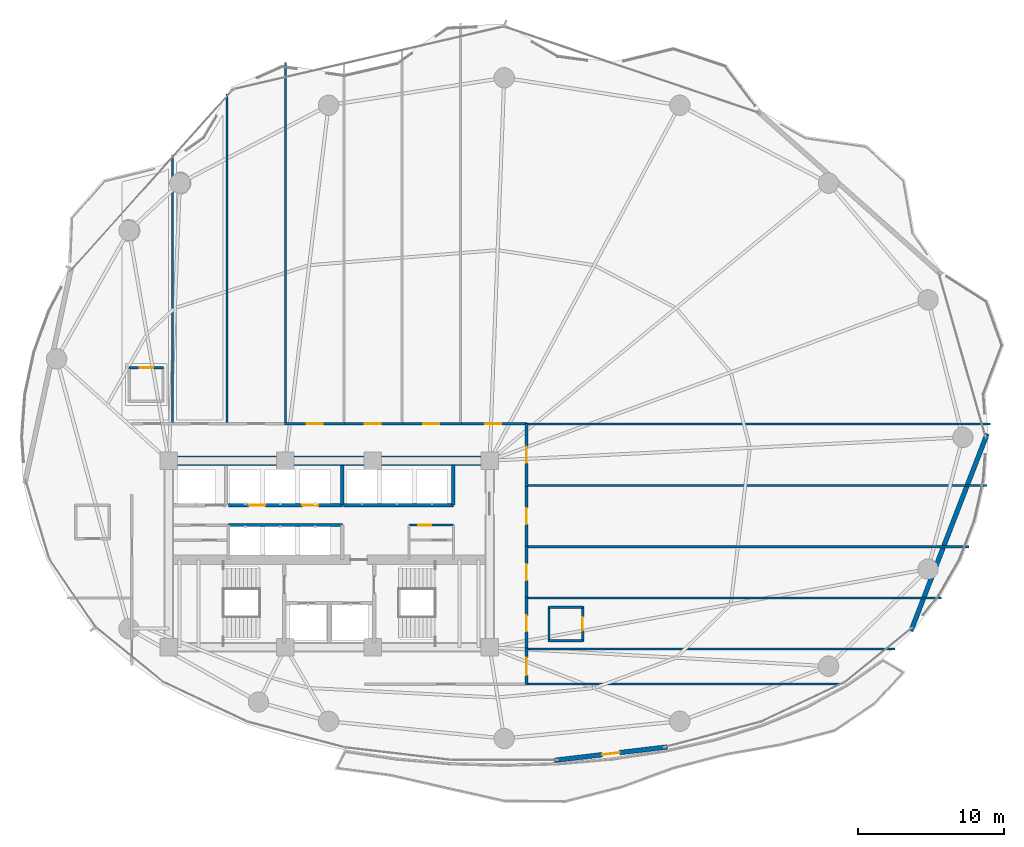
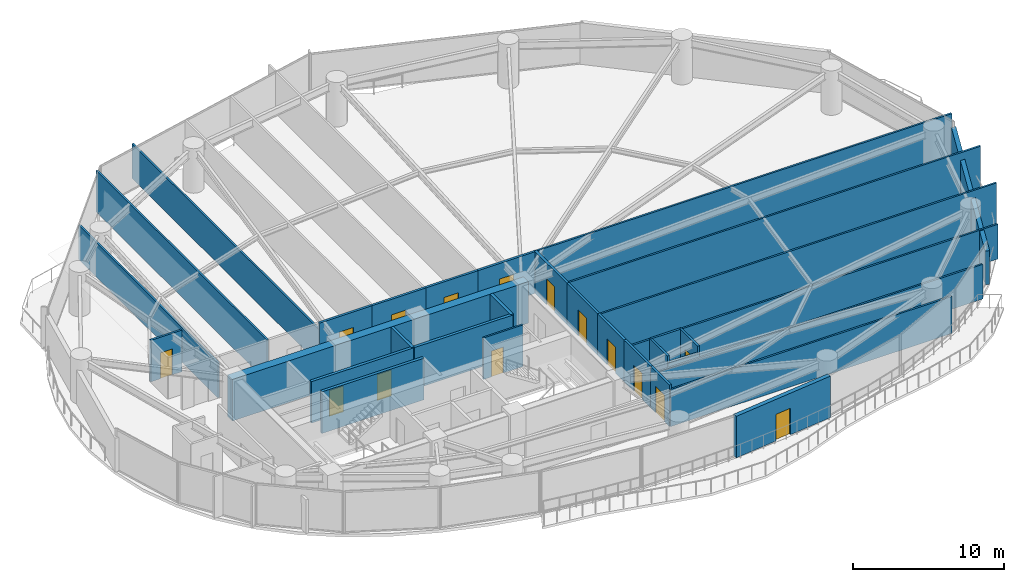
# One storey, part 27 of 32: 32 walls, 15 doors, 15 openings.
"""IFC4 building model written with IfcOpenShell, lengths in metres."""

import ifcopenshell
import ifcopenshell.guid

model = None  # the IFC model being written
_history = None  # IfcOwnerHistory: only IFC2X3 demands one
_inside = {}  # id of a spatial element -> (the spatial element, [elements in it])
_under = {}  # id of a project, library or spatial element -> (it, [spatial elements below it])
_declared = {}  # id of a project -> (the project, [libraries it declares])
_typed = {}  # id of a type object -> (the type object, [elements of that type])
_made_of = {}  # id of a material, layer set ... -> (it, [elements and type objects made of it])


def new_model(schema):
    """Start an empty IFC model of exactly this schema.

    Asked for "IFC4X3", IfcOpenShell would pick the latest addendum, in which some entities
    have other attributes; the version numbers below select the first issue.
    IFC2X3 requires an IfcOwnerHistory on every rooted entity: one is made here for all.
    """
    global model, _history
    if schema == "IFC4X3":
        model = ifcopenshell.file(schema_version=(4, 3, 0, 0))
    else:
        model = ifcopenshell.file(schema=schema)
    _inside.clear()
    _under.clear()
    _declared.clear()
    _typed.clear()
    _made_of.clear()
    _history = None
    if model.schema == "IFC2X3":
        org = make("IfcOrganization", Name="unknown")
        user = make(
            "IfcPersonAndOrganization",
            ThePerson=make("IfcPerson", FamilyName="unknown"),
            TheOrganization=org,
        )
        app = make(
            "IfcApplication",
            ApplicationDeveloper=org,
            Version="unknown",
            ApplicationFullName="unknown",
            ApplicationIdentifier="unknown",
        )
        _history = make(
            "IfcOwnerHistory",
            OwningUser=user,
            OwningApplication=app,
            ChangeAction="ADDED",
            CreationDate=0,
        )
    return model


def make(cls, **values):
    """One entity of the class cls with the attributes given. An attribute that is None is left unset."""
    return model.create_entity(
        cls, **{name: value for name, value in values.items() if value is not None}
    )


def rooted(cls, **values):
    """An entity with a GlobalId (a new one), such as an element, a storey or a relation."""
    return make(cls, GlobalId=ifcopenshell.guid.new(), OwnerHistory=_history, **values)


def si_unit(unit_type, name, prefix=None):
    """IfcSIUnit, for example si_unit("LENGTHUNIT", "METRE", prefix="MILLI")."""
    return make("IfcSIUnit", UnitType=unit_type, Prefix=prefix, Name=name)


def assignment(units):
    """IfcUnitAssignment: the units of a project."""
    return None if units is None else make("IfcUnitAssignment", Units=units)


def point(xyz):
    """IfcCartesianPoint."""
    return None if xyz is None else make("IfcCartesianPoint", Coordinates=xyz)


def direction(xyz):
    """IfcDirection."""
    return None if xyz is None else make("IfcDirection", DirectionRatios=xyz)


def frame(location, z_axis=None, x_axis=None):
    """IfcAxis2Placement3D, a coordinate frame: its origin and axes. An axis left out is left unset."""
    return make(
        "IfcAxis2Placement3D",
        Location=point(location),
        Axis=direction(z_axis),
        RefDirection=direction(x_axis),
    )


def frame_2d(location, x_axis=None):
    """IfcAxis2Placement2D, a coordinate frame in the plane: its origin and x axis."""
    return make(
        "IfcAxis2Placement2D", Location=point(location), RefDirection=direction(x_axis)
    )


def origin():
    """The frame at (0, 0, 0) with its axes left unset."""
    return frame((0.0, 0.0, 0.0))


def place(relative_to, where):
    """IfcLocalPlacement: puts the frame where relative to a parent placement (None: the world)."""
    return make(
        "IfcLocalPlacement", PlacementRelTo=relative_to, RelativePlacement=where
    )


def context(
    kind, dimensions, precision=None, world=None, true_north=None, identifier=None
):
    """IfcGeometricRepresentationContext, for example the 3D "Model" context."""
    return make(
        "IfcGeometricRepresentationContext",
        ContextIdentifier=identifier,
        ContextType=kind,
        CoordinateSpaceDimension=dimensions,
        Precision=precision,
        WorldCoordinateSystem=world,
        TrueNorth=true_north,
    )


def subcontext(parent, identifier, kind, view, scale=None):
    """IfcGeometricRepresentationSubContext, for example "Body" below "Model"."""
    return make(
        "IfcGeometricRepresentationSubContext",
        ContextIdentifier=identifier,
        ContextType=kind,
        ParentContext=parent,
        TargetScale=scale,
        TargetView=view,
    )


def project(units=None, contexts=None):
    """IfcProject with its units and contexts."""
    return rooted(
        "IfcProject",
        Name="project",
        RepresentationContexts=contexts,
        UnitsInContext=assignment(units),
    )


def spatial(cls, under=None, at=None, **own):
    """A site, building, storey or space (cls), placed at a placement, below another one or the project."""
    s = rooted(cls, ObjectPlacement=at, **own)
    if under is not None:
        _under.setdefault(under.id(), (under, []))[1].append(s)
    return s


def profile(cls, at=None, kind="AREA", **sizes):
    """A parametric profile (cls). Its sizes go by their IFC names, for example OverallWidth=200.0."""
    return make(cls, ProfileType=kind, Position=at, **sizes)


def rectangle(**sizes):
    """IfcRectangleProfileDef."""
    return profile("IfcRectangleProfileDef", **sizes)


def extrude(swept, where, along, depth):
    """IfcExtrudedAreaSolid: the profile swept, set in the frame where, extruded along a direction by depth."""
    return make(
        "IfcExtrudedAreaSolid",
        SweptArea=swept,
        Position=where,
        ExtrudedDirection=direction(along),
        Depth=depth,
    )


def shape(context_of_items, identifier, shape_type, items):
    """IfcShapeRepresentation: the items that make up one representation, for example the "Body"."""
    return make(
        "IfcShapeRepresentation",
        ContextOfItems=context_of_items,
        RepresentationIdentifier=identifier,
        RepresentationType=shape_type,
        Items=items,
    )


def material(Name=None, Category=None):
    """IfcMaterial."""
    return make("IfcMaterial", Name=Name, Category=Category)


def layer(
    of_material, thickness, ventilated=None, Name=None, Category=None, Priority=None
):
    """IfcMaterialLayer: one layer of a wall or slab, of a material (None: an air gap)."""
    return make(
        "IfcMaterialLayer",
        Material=of_material,
        LayerThickness=thickness,
        IsVentilated=ventilated,
        Name=Name,
        Category=Category,
        Priority=Priority,
    )


def layer_set(layers, Name=None):
    """IfcMaterialLayerSet."""
    return make("IfcMaterialLayerSet", MaterialLayers=layers, LayerSetName=Name)


def made_of(thing, what):
    """Note that an element or type object is made of a material, layer set ...; save() writes the relation."""
    if what is not None:
        _made_of.setdefault(what.id(), (what, []))[1].append(thing)
    return thing


def type_object(cls, material=None, **own):
    """A type object (cls), such as IfcWallType, which elements share."""
    return made_of(rooted(cls, **own), material)


def element(
    cls,
    number,
    at=None,
    inside=None,
    cuts=None,
    type_object=None,
    material=None,
    context=None,
    identifier="Body",
    shape_type=None,
    held_by="IfcProductDefinitionShape",
    body=None,
    shapes=None,
    **own,
):
    """One element of the class cls, such as IfcWall. Its Tag is "e" and its number.

    at: its placement. inside: the storey or other place that contains it. cuts: it is an
    opening in that element (IfcRelVoidsElement). A single representation is given by context,
    identifier, shape_type and body (its items); several are given by shapes. held_by: the class
    of the entity that holds the representations. save() writes the other relations.
    """
    e = rooted(cls, Tag="e%d" % number, ObjectPlacement=at, **own)
    if body is not None:
        shapes = [shape(context, identifier, shape_type, body)]
    if shapes is not None:
        e.Representation = make(held_by, Representations=shapes)
    if inside is not None:
        _inside.setdefault(inside.id(), (inside, []))[1].append(e)
    if cuts is not None:
        rooted(
            "IfcRelVoidsElement", RelatingBuildingElement=cuts, RelatedOpeningElement=e
        )
    if type_object is not None:
        _typed.setdefault(type_object.id(), (type_object, []))[1].append(e)
    return made_of(e, material)


def fill(opening, filler):
    """IfcRelFillsElement: the door or window that sits in an opening."""
    return rooted(
        "IfcRelFillsElement",
        RelatingOpeningElement=opening,
        RelatedBuildingElement=filler,
    )


def aggregate(whole, parts):
    """IfcRelAggregates: a whole, such as a stair, and the parts it consists of."""
    return rooted("IfcRelAggregates", RelatingObject=whole, RelatedObjects=parts)


def save(model, path):
    """Write the relations noted so far, then the file.

    IfcRelAggregates (storeys below a building ...), IfcRelContainedInSpatialStructure (elements
    in a storey), IfcRelDefinesByType, IfcRelAssociatesMaterial and IfcRelDeclares: one each for
    every whole, place, type object, material and project.
    """
    for whole, parts in _under.values():
        aggregate(whole, parts)
    for where, things in _inside.values():
        rooted(
            "IfcRelContainedInSpatialStructure",
            RelatedElements=things,
            RelatingStructure=where,
        )
    for kind, things in _typed.values():
        rooted("IfcRelDefinesByType", RelatedObjects=things, RelatingType=kind)
    for what, things in _made_of.values():
        rooted("IfcRelAssociatesMaterial", RelatedObjects=things, RelatingMaterial=what)
    for by, libraries in _declared.values():
        rooted("IfcRelDeclares", RelatingContext=by, RelatedDefinitions=libraries)
    model.write(path)


model = new_model("IFC4")

# Units and contexts
model_context = context("Model", 3, precision=1e-05, world=origin(), true_north=direction((0.0, 1.0)))
body_context = subcontext(model_context, "Body", "Model", "MODEL_VIEW")
ifc_project = project(units=[si_unit("LENGTHUNIT", "METRE"), si_unit("AREAUNIT", "SQUARE_METRE"), si_unit("VOLUMEUNIT", "CUBIC_METRE"), si_unit("PLANEANGLEUNIT", "RADIAN"), si_unit("MASSUNIT", "GRAM", prefix="KILO")], contexts=[model_context])

# Site, building, storey
site_placement = place(None, origin())
site = spatial("IfcSite", under=ifc_project, at=site_placement, CompositionType="ELEMENT")
building_placement = place(site_placement, origin())
building = spatial("IfcBuilding", under=site, at=building_placement, Name="Kazevale Care Tower and Concert Hall", CompositionType="ELEMENT")
storey_placement = place(building_placement, frame((0.0, 0.0, 85.199951171875)))
storey = spatial("IfcBuildingStorey", under=building, at=storey_placement, Name="L22", CompositionType="ELEMENT", Elevation=85.199951171875)

# Wall, opening, door
ifc_material_1 = material(Name="Acoustic Gypsum on Steel Stud", Category="steel")
ifc_layer_1 = layer(ifc_material_1, 0.139892578125)
ifc_layer_set_1 = layer_set([ifc_layer_1], Name="Acoustic Gypsum on Steel Stud")
wall_type_1 = type_object("IfcWallType", Name="Acoustic Care & Suite Partition 140", PredefinedType="PARTITIONING", material=ifc_layer_set_1)
wall_1_placement = place(storey_placement, frame((38.47998046875, 31.97998046875, 0.0), z_axis=(0.0, 0.0, 1.0), x_axis=(1.0, 0.0, 0.0)))
wall_1 = element("IfcWall", 1, at=wall_1_placement, inside=storey, type_object=wall_type_1, Name="wall:L22:kc_en", PredefinedType="PARTITIONING", context=body_context, shape_type="SweptSolid", body=[
    extrude(rectangle(XDim=3.0400390625, YDim=0.139892578125, at=frame_2d((1.52001953125, 0.0))), origin(), (0.0, 0.0, 1.0), 3.360107421875),
])
opening_1_placement = place(wall_1_placement, frame((0.614013671875, 0.0, 0.0)))
opening_1 = element("IfcOpeningElement", 2, at=opening_1_placement, cuts=wall_1, Name="Opening ID-900", PredefinedType="OPENING", context=body_context, shape_type="SweptSolid", body=[
    extrude(rectangle(XDim=0.919921875, YDim=2.10009765625, at=frame_2d((0.4599609375, 1.050048828125))), frame((0.0, 0.079833984375, 0.0), z_axis=(0.0, -1.0, 0.0), x_axis=(1.0, 0.0, 0.0)), (0.0, 0.0, 1.0), 0.159912109375),
])
ifc_material_2 = material(Name="Oak Timber Fire Leaf", Category="wood")
door_type_1 = type_object("IfcDoorType", Name="Bathroom & Service Door 920x2100", OperationType="NOTDEFINED", PredefinedType="DOOR", material=ifc_material_2)
door_1_placement = place(opening_1_placement, origin())
door_1 = element("IfcDoor", 3, at=door_1_placement, inside=storey, type_object=door_type_1, Name="door:L22:d_kcet", OperationType="SINGLE_SWING_LEFT", OverallHeight=2.10009765625, OverallWidth=0.919921875, PredefinedType="DOOR", context=body_context, shape_type="SweptSolid", body=[
    extrude(rectangle(XDim=0.919921875, YDim=2.10009765625, at=frame_2d((0.4599609375, 1.050048828125))), frame((0.0, 0.02490234375, 0.0), z_axis=(0.0, -1.0, 0.0), x_axis=(1.0, 0.0, 0.0)), (0.0, 0.0, 1.0), 0.050048828125),
])
fill(opening_1, door_1)

# Walls
wall_2_placement = place(storey_placement, frame((22.25, 57.343017578125, 0.0), z_axis=(0.0, 0.0, 1.0), x_axis=(0.0, -1.0, 0.0)))
element("IfcWall", 4, at=wall_2_placement, inside=storey, type_object=wall_type_1, Name="wall:L22:auto_016", PredefinedType="PARTITIONING", context=body_context, shape_type="SweptSolid", body=[
    extrude(rectangle(XDim=18.447998046875, YDim=0.139892578125, at=frame_2d((9.22412109375, 0.0))), origin(), (0.0, 0.0, 1.0), 2.80615234375),
])
wall_3_placement = place(storey_placement, frame((26.0, 61.529052734375, 0.0), z_axis=(0.0, 0.0, 1.0), x_axis=(0.0, -1.0, 0.0)))
element("IfcWall", 5, at=wall_3_placement, inside=storey, type_object=wall_type_1, Name="wall:L22:auto_017", PredefinedType="PARTITIONING", context=body_context, shape_type="SweptSolid", body=[
    extrude(rectangle(XDim=22.634033203125, YDim=0.139892578125, at=frame_2d((11.31689453125, 0.0))), origin(), (0.0, 0.0, 1.0), 3.360107421875),
])
wall_4_placement = place(storey_placement, frame((30.0, 63.7041015625, 0.0), z_axis=(0.0, 0.0, 1.0), x_axis=(0.0, -1.0, 0.0)))
element("IfcWall", 6, at=wall_4_placement, inside=storey, type_object=wall_type_1, Name="wall:L22:auto_018", PredefinedType="PARTITIONING", context=body_context, shape_type="SweptSolid", body=[
    extrude(rectangle(XDim=24.80908203125, YDim=0.139892578125, at=frame_2d((12.404541015625, 0.0))), origin(), (0.0, 0.0, 1.0), 2.80615234375),
])
wall_5_placement = place(storey_placement, frame((78.333984375, 38.925048828125, 0.0), z_axis=(0.0, 0.0, 1.0), x_axis=(-1.0, 0.0, 0.0)))
element("IfcWall", 7, at=wall_5_placement, inside=storey, type_object=wall_type_1, Name="wall:L22:auto_022", PredefinedType="PARTITIONING", context=body_context, shape_type="SweptSolid", body=[
    extrude(rectangle(XDim=31.8740234375, YDim=0.139892578125, at=frame_2d((15.93701171875, 0.0))), origin(), (0.0, 0.0, 1.0), 3.360107421875),
])
wall_6_placement = place(storey_placement, frame((46.4951171875, 23.5, 0.0), z_axis=(0.0, 0.0, 1.0), x_axis=(1.0, 0.0, 0.0)))
element("IfcWall", 8, at=wall_6_placement, inside=storey, type_object=wall_type_1, Name="wall:L22:auto_023", PredefinedType="PARTITIONING", context=body_context, shape_type="SweptSolid", body=[
    extrude(rectangle(XDim=25.2998046875, YDim=0.139892578125, at=frame_2d((12.64990234375, 0.0))), origin(), (0.0, 0.0, 1.0), 2.80615234375),
])
wall_7_placement = place(storey_placement, frame((68.049072265625, 21.074951171875, 0.0), z_axis=(0.0, 0.0, 1.0), x_axis=(-1.0, 0.0, 0.0)))
element("IfcWall", 9, at=wall_7_placement, inside=storey, type_object=wall_type_1, Name="wall:L22:auto_024", PredefinedType="PARTITIONING", context=body_context, shape_type="SweptSolid", body=[
    extrude(rectangle(XDim=21.553955078125, YDim=0.139892578125, at=frame_2d((10.77685546875, 0.0))), origin(), (0.0, 0.0, 1.0), 2.99609375),
])
wall_8_placement = place(storey_placement, frame((46.4951171875, 27.0, 0.0), z_axis=(0.0, 0.0, 1.0), x_axis=(1.0, 0.0, 0.0)))
element("IfcWall", 10, at=wall_8_placement, inside=storey, type_object=wall_type_1, Name="wall:L22:auto_025", PredefinedType="PARTITIONING", context=body_context, shape_type="SweptSolid", body=[
    extrude(rectangle(XDim=28.498779296875, YDim=0.139892578125, at=frame_2d((14.24951171875, 0.0))), origin(), (0.0, 0.0, 1.0), 2.80615234375),
])
wall_9_placement = place(storey_placement, frame((46.4951171875, 30.5, 0.0), z_axis=(0.0, 0.0, 1.0), x_axis=(1.0, 0.0, 0.0)))
element("IfcWall", 11, at=wall_9_placement, inside=storey, type_object=wall_type_1, Name="wall:L22:auto_026", PredefinedType="PARTITIONING", context=body_context, shape_type="SweptSolid", body=[
    extrude(rectangle(XDim=30.390869140625, YDim=0.139892578125, at=frame_2d((15.1953125, 0.0))), origin(), (0.0, 0.0, 1.0), 3.360107421875),
])
wall_10_placement = place(storey_placement, frame((46.4951171875, 34.7099609375, 0.0), z_axis=(0.0, 0.0, 1.0), x_axis=(1.0, 0.0, 0.0)))
element("IfcWall", 12, at=wall_10_placement, inside=storey, type_object=wall_type_1, Name="wall:L22:auto_027", PredefinedType="PARTITIONING", context=body_context, shape_type="SweptSolid", body=[
    extrude(rectangle(XDim=31.61376953125, YDim=0.139892578125, at=frame_2d((15.806884765625, 0.0))), origin(), (0.0, 0.0, 1.0), 3.360107421875),
])
ifc_material_3 = material(Name="Concrete C70", Category="concrete")
ifc_layer_2 = layer(ifc_material_3, 0.64990234375)
ifc_layer_set_2 = layer_set([ifc_layer_2], Name="Concrete C70")
wall_type_2 = type_object("IfcWallType", Name="Core Shear Wall 650 C70", PredefinedType="SHEAR", material=ifc_layer_set_2)
wall_11_placement = place(storey_placement, frame((21.675048828125, 36.39990234375, 0.0), z_axis=(0.0, 0.0, 1.0), x_axis=(1.0, 0.0, 0.0)))
element("IfcWall", 13, at=wall_11_placement, inside=storey, type_object=wall_type_2, Name="wall:L22:core:N", PredefinedType="SHEAR", context=body_context, shape_type="SweptSolid", body=[
    extrude(rectangle(XDim=22.64990234375, YDim=0.64990234375, at=frame_2d((11.324951171875, 0.0))), origin(), (0.0, 0.0, 1.0), 3.360107421875),
])
ifc_material_4 = material(Name="Concrete C40", Category="concrete")
ifc_layer_3 = layer(ifc_material_4, 0.219970703125)
ifc_layer_set_3 = layer_set([ifc_layer_3], Name="Concrete C40")
wall_type_3 = type_object("IfcWallType", Name="Elevator Hoistway Shaft Wall 220", PredefinedType="SOLIDWALL", material=ifc_layer_set_3)
wall_12_placement = place(storey_placement, frame((26.10009765625, 31.97998046875, 0.0), z_axis=(0.0, 0.0, 1.0), x_axis=(1.0, 0.0, 0.0)))
element("IfcWall", 14, at=wall_12_placement, inside=storey, type_object=wall_type_3, Name="wall:L22:c_ph_n", PredefinedType="SOLIDWALL", context=body_context, shape_type="SweptSolid", body=[
    extrude(rectangle(XDim=7.7998046875, YDim=0.219970703125, at=frame_2d((3.89990234375, 0.0))), origin(), (0.0, 0.0, 1.0), 3.360107421875),
])

# Wall, openings, doors
wall_13_placement = place(storey_placement, frame((26.10009765625, 33.35009765625, 0.0), z_axis=(0.0, 0.0, 1.0), x_axis=(1.0, 0.0, 0.0)))
wall_13 = element("IfcWall", 15, at=wall_13_placement, inside=storey, type_object=wall_type_3, Name="wall:L22:c_pl_s", PredefinedType="SOLIDWALL", context=body_context, shape_type="SweptSolid", body=[
    extrude(rectangle(XDim=7.7998046875, YDim=0.219970703125, at=frame_2d((3.89990234375, 0.0))), origin(), (0.0, 0.0, 1.0), 3.360107421875),
])
opening_2_placement = place(wall_13_placement, frame((1.39990234375, 0.0, 0.0)))
opening_2 = element("IfcOpeningElement", 16, at=opening_2_placement, cuts=wall_13, Name="Opening LD-PAX", PredefinedType="OPENING", context=body_context, shape_type="SweptSolid", body=[
    extrude(rectangle(XDim=1.10009765625, YDim=2.10009765625, at=frame_2d((0.550048828125, 1.050048828125))), frame((0.0, 0.119873046875, 0.0), z_axis=(0.0, -1.0, 0.0), x_axis=(1.0, 0.0, 0.0)), (0.0, 0.0, 1.0), 0.239990234375),
])
opening_3_placement = place(wall_13_placement, frame((5.06591796875, 0.0, 0.0)))
opening_3 = element("IfcOpeningElement", 17, at=opening_3_placement, cuts=wall_13, Name="Opening LD-PAX", PredefinedType="OPENING", context=body_context, shape_type="SweptSolid", body=[
    extrude(rectangle(XDim=1.10009765625, YDim=2.10009765625, at=frame_2d((0.550048828125, 1.050048828125))), frame((0.0, 0.119873046875, 0.0), z_axis=(0.0, -1.0, 0.0), x_axis=(1.0, 0.0, 0.0)), (0.0, 0.0, 1.0), 0.239990234375),
])
ifc_material_5 = material(Name="Stainless Steel 316", Category="steel")
door_type_2 = type_object("IfcDoorType", Name="Passenger Lift Sliding Landing Door 1100x2100", OperationType="NOTDEFINED", PredefinedType="DOOR", material=ifc_material_5)
door_2_placement = place(opening_2_placement, origin())
door_2 = element("IfcDoor", 18, at=door_2_placement, inside=storey, type_object=door_type_2, Name="door:L22:ld_pl1", OperationType="SLIDING_TO_LEFT", OverallHeight=2.10009765625, OverallWidth=1.10009765625, PredefinedType="DOOR", context=body_context, shape_type="SweptSolid", body=[
    extrude(rectangle(XDim=1.10009765625, YDim=2.10009765625, at=frame_2d((0.550048828125, 1.050048828125))), frame((0.0, 0.02490234375, 0.0), z_axis=(0.0, -1.0, 0.0), x_axis=(1.0, 0.0, 0.0)), (0.0, 0.0, 1.0), 0.050048828125),
])
fill(opening_2, door_2)
door_3_placement = place(opening_3_placement, origin())
door_3 = element("IfcDoor", 19, at=door_3_placement, inside=storey, type_object=door_type_2, Name="door:L22:ld_pl2", OperationType="SLIDING_TO_RIGHT", OverallHeight=2.10009765625, OverallWidth=1.10009765625, PredefinedType="DOOR", context=body_context, shape_type="SweptSolid", body=[
    extrude(rectangle(XDim=1.10009765625, YDim=2.10009765625, at=frame_2d((0.550048828125, 1.050048828125))), frame((0.0, 0.02490234375, 0.0), z_axis=(0.0, -1.0, 0.0), x_axis=(1.0, 0.0, 0.0)), (0.0, 0.0, 1.0), 0.050048828125),
])
fill(opening_3, door_3)

# Walls
wall_14_placement = place(storey_placement, frame((33.89990234375, 33.35009765625, 0.0), z_axis=(0.0, 0.0, 1.0), x_axis=(0.0, 1.0, 0.0)))
element("IfcWall", 20, at=wall_14_placement, inside=storey, type_object=wall_type_3, Name="wall:L22:c_pl_e", PredefinedType="SOLIDWALL", context=body_context, shape_type="SweptSolid", body=[
    extrude(rectangle(XDim=2.72998046875, YDim=0.219970703125, at=frame_2d((1.364990234375, 0.0))), origin(), (0.0, 0.0, 1.0), 3.360107421875),
])
wall_15_placement = place(storey_placement, frame((33.97998046875, 33.35009765625, 0.0), z_axis=(0.0, 0.0, 1.0), x_axis=(1.0, 0.0, 0.0)))
element("IfcWall", 21, at=wall_15_placement, inside=storey, type_object=wall_type_3, Name="wall:L22:c_pm_s", PredefinedType="SOLIDWALL", context=body_context, shape_type="SweptSolid", body=[
    extrude(rectangle(XDim=7.5400390625, YDim=0.219970703125, at=frame_2d((3.77001953125, 0.0))), origin(), (0.0, 0.0, 1.0), 3.360107421875),
])
wall_16_placement = place(storey_placement, frame((41.5, 33.35009765625, 0.0), z_axis=(0.0, 0.0, 1.0), x_axis=(0.0, 1.0, 0.0)))
element("IfcWall", 22, at=wall_16_placement, inside=storey, type_object=wall_type_3, Name="wall:L22:c_pm_e", PredefinedType="SOLIDWALL", context=body_context, shape_type="SweptSolid", body=[
    extrude(rectangle(XDim=2.75, YDim=0.219970703125, at=frame_2d((1.375, 0.0))), origin(), (0.0, 0.0, 1.0), 3.360107421875),
])

# Wall, opening, door
ifc_material_6 = material(Name="Concrete C40 and Acoustic Gypsum", Category="concrete")
ifc_layer_4 = layer(ifc_material_6, 0.179931640625)
ifc_layer_set_4 = layer_set([ifc_layer_4], Name="Concrete C40 and Acoustic Gypsum")
wall_type_4 = type_object("IfcWallType", Name="Fire-Rated Corridor & Party Wall 180", PredefinedType="PARTITIONING", material=ifc_layer_set_4)
wall_17_placement = place(storey_placement, frame((29.93505859375, 38.925048828125, 0.0), z_axis=(0.0, 0.0, 1.0), x_axis=(1.0, 0.0, 0.0)))
wall_17 = element("IfcWall", 23, at=wall_17_placement, inside=storey, type_object=wall_type_4, Name="wall:L22:auto_004", PredefinedType="PARTITIONING", context=body_context, shape_type="SweptSolid", body=[
    extrude(rectangle(XDim=4.1298828125, YDim=0.179931640625, at=frame_2d((2.06494140625, 0.0))), origin(), (0.0, 0.0, 1.0), 3.360107421875),
])
opening_4_placement = place(wall_17_placement, frame((1.514892578125, 0.0, 0.0)))
opening_4 = element("IfcOpeningElement", 24, at=opening_4_placement, cuts=wall_17, Name="Opening ID-1100", PredefinedType="OPENING", context=body_context, shape_type="SweptSolid", body=[
    extrude(rectangle(XDim=1.10009765625, YDim=2.10009765625, at=frame_2d((0.550048828125, 1.050048828125))), frame((0.0, 0.099853515625, 0.0), z_axis=(0.0, -1.0, 0.0), x_axis=(1.0, 0.0, 0.0)), (0.0, 0.0, 1.0), 0.199951171875),
])
door_type_3 = type_object("IfcDoorType", Name="Care Bedroom Accessible Door 1100x2100", OperationType="NOTDEFINED", PredefinedType="DOOR", material=ifc_material_2)
door_4_placement = place(opening_4_placement, origin())
door_4 = element("IfcDoor", 25, at=door_4_placement, inside=storey, type_object=door_type_3, Name="door:L22:ad_004", OperationType="SINGLE_SWING_LEFT", OverallHeight=2.10009765625, OverallWidth=1.10009765625, PredefinedType="DOOR", context=body_context, shape_type="SweptSolid", body=[
    extrude(rectangle(XDim=1.10009765625, YDim=2.10009765625, at=frame_2d((0.550048828125, 1.050048828125))), frame((0.0, 0.02490234375, 0.0), z_axis=(0.0, -1.0, 0.0), x_axis=(1.0, 0.0, 0.0)), (0.0, 0.0, 1.0), 0.050048828125),
])
fill(opening_4, door_4)

wall_18_placement = place(storey_placement, frame((33.93505859375, 38.925048828125, 0.0), z_axis=(0.0, 0.0, 1.0), x_axis=(1.0, 0.0, 0.0)))
wall_18 = element("IfcWall", 26, at=wall_18_placement, inside=storey, type_object=wall_type_4, Name="wall:L22:auto_005", PredefinedType="PARTITIONING", context=body_context, shape_type="SweptSolid", body=[
    extrude(rectangle(XDim=4.1298828125, YDim=0.179931640625, at=frame_2d((2.06494140625, 0.0))), origin(), (0.0, 0.0, 1.0), 3.360107421875),
])
opening_5_placement = place(wall_18_placement, frame((1.514892578125, 0.0, 0.0)))
opening_5 = element("IfcOpeningElement", 27, at=opening_5_placement, cuts=wall_18, Name="Opening ID-1100", PredefinedType="OPENING", context=body_context, shape_type="SweptSolid", body=[
    extrude(rectangle(XDim=1.10009765625, YDim=2.10009765625, at=frame_2d((0.550048828125, 1.050048828125))), frame((0.0, 0.099853515625, 0.0), z_axis=(0.0, -1.0, 0.0), x_axis=(1.0, 0.0, 0.0)), (0.0, 0.0, 1.0), 0.199951171875),
])
door_5_placement = place(opening_5_placement, origin())
door_5 = element("IfcDoor", 28, at=door_5_placement, inside=storey, type_object=door_type_3, Name="door:L22:ad_005", OperationType="SINGLE_SWING_LEFT", OverallHeight=2.10009765625, OverallWidth=1.10009765625, PredefinedType="DOOR", context=body_context, shape_type="SweptSolid", body=[
    extrude(rectangle(XDim=1.10009765625, YDim=2.10009765625, at=frame_2d((0.550048828125, 1.050048828125))), frame((0.0, 0.02490234375, 0.0), z_axis=(0.0, -1.0, 0.0), x_axis=(1.0, 0.0, 0.0)), (0.0, 0.0, 1.0), 0.050048828125),
])
fill(opening_5, door_5)

wall_19_placement = place(storey_placement, frame((37.93505859375, 38.925048828125, 0.0), z_axis=(0.0, 0.0, 1.0), x_axis=(1.0, 0.0, 0.0)))
wall_19 = element("IfcWall", 29, at=wall_19_placement, inside=storey, type_object=wall_type_4, Name="wall:L22:auto_006", PredefinedType="PARTITIONING", context=body_context, shape_type="SweptSolid", body=[
    extrude(rectangle(XDim=4.1298828125, YDim=0.179931640625, at=frame_2d((2.06494140625, 0.0))), origin(), (0.0, 0.0, 1.0), 3.360107421875),
])
opening_6_placement = place(wall_19_placement, frame((1.514892578125, 0.0, 0.0)))
opening_6 = element("IfcOpeningElement", 30, at=opening_6_placement, cuts=wall_19, Name="Opening ID-1100", PredefinedType="OPENING", context=body_context, shape_type="SweptSolid", body=[
    extrude(rectangle(XDim=1.10009765625, YDim=2.10009765625, at=frame_2d((0.550048828125, 1.050048828125))), frame((0.0, 0.099853515625, 0.0), z_axis=(0.0, -1.0, 0.0), x_axis=(1.0, 0.0, 0.0)), (0.0, 0.0, 1.0), 0.199951171875),
])
door_6_placement = place(opening_6_placement, origin())
door_6 = element("IfcDoor", 31, at=door_6_placement, inside=storey, type_object=door_type_3, Name="door:L22:ad_006", OperationType="SINGLE_SWING_LEFT", OverallHeight=2.10009765625, OverallWidth=1.10009765625, PredefinedType="DOOR", context=body_context, shape_type="SweptSolid", body=[
    extrude(rectangle(XDim=1.10009765625, YDim=2.10009765625, at=frame_2d((0.550048828125, 1.050048828125))), frame((0.0, 0.02490234375, 0.0), z_axis=(0.0, -1.0, 0.0), x_axis=(1.0, 0.0, 0.0)), (0.0, 0.0, 1.0), 0.050048828125),
])
fill(opening_6, door_6)

wall_20_placement = place(storey_placement, frame((41.93505859375, 38.925048828125, 0.0), z_axis=(0.0, 0.0, 1.0), x_axis=(1.0, 0.0, 0.0)))
wall_20 = element("IfcWall", 32, at=wall_20_placement, inside=storey, type_object=wall_type_4, Name="wall:L22:auto_007", PredefinedType="PARTITIONING", context=body_context, shape_type="SweptSolid", body=[
    extrude(rectangle(XDim=4.619873046875, YDim=0.179931640625, at=frame_2d((2.31005859375, 0.0))), origin(), (0.0, 0.0, 1.0), 3.360107421875),
])
opening_7_placement = place(wall_20_placement, frame((1.760009765625, 0.0, 0.0)))
opening_7 = element("IfcOpeningElement", 33, at=opening_7_placement, cuts=wall_20, Name="Opening ID-1100", PredefinedType="OPENING", context=body_context, shape_type="SweptSolid", body=[
    extrude(rectangle(XDim=1.10009765625, YDim=2.10009765625, at=frame_2d((0.550048828125, 1.050048828125))), frame((0.0, 0.099853515625, 0.0), z_axis=(0.0, -1.0, 0.0), x_axis=(1.0, 0.0, 0.0)), (0.0, 0.0, 1.0), 0.199951171875),
])
door_7_placement = place(opening_7_placement, origin())
door_7 = element("IfcDoor", 34, at=door_7_placement, inside=storey, type_object=door_type_3, Name="door:L22:ad_007", OperationType="SINGLE_SWING_LEFT", OverallHeight=2.10009765625, OverallWidth=1.10009765625, PredefinedType="DOOR", context=body_context, shape_type="SweptSolid", body=[
    extrude(rectangle(XDim=1.10009765625, YDim=2.10009765625, at=frame_2d((0.550048828125, 1.050048828125))), frame((0.0, 0.02490234375, 0.0), z_axis=(0.0, -1.0, 0.0), x_axis=(1.0, 0.0, 0.0)), (0.0, 0.0, 1.0), 0.050048828125),
])
fill(opening_7, door_7)

wall_21_placement = place(storey_placement, frame((46.52490234375, 23.56494140625, 0.0), z_axis=(0.0, 0.0, 1.0), x_axis=(0.0, -1.0, 0.0)))
wall_21 = element("IfcWall", 35, at=wall_21_placement, inside=storey, type_object=wall_type_4, Name="wall:L22:auto_008", PredefinedType="PARTITIONING", context=body_context, shape_type="SweptSolid", body=[
    extrude(rectangle(XDim=2.52001953125, YDim=0.179931640625, at=frame_2d((1.260009765625, 0.0))), origin(), (0.0, 0.0, 1.0), 3.360107421875),
])
opening_8_placement = place(wall_21_placement, frame((0.659912109375, 0.0, 0.0)))
opening_8 = element("IfcOpeningElement", 36, at=opening_8_placement, cuts=wall_21, Name="Opening ID-1200", PredefinedType="OPENING", context=body_context, shape_type="SweptSolid", body=[
    extrude(rectangle(XDim=1.199951171875, YDim=2.14990234375, at=frame_2d((0.60009765625, 1.074951171875))), frame((0.0, 0.099853515625, 0.0), z_axis=(0.0, -1.0, 0.0), x_axis=(1.0, 0.0, 0.0)), (0.0, 0.0, 1.0), 0.199951171875),
])
door_type_4 = type_object("IfcDoorType", Name="Clinical & Therapy Door 1200x2150", OperationType="NOTDEFINED", PredefinedType="DOOR", material=ifc_material_2)
door_8_placement = place(opening_8_placement, origin())
door_8 = element("IfcDoor", 37, at=door_8_placement, inside=storey, type_object=door_type_4, Name="door:L22:ad_008", OperationType="SINGLE_SWING_LEFT", OverallHeight=2.14990234375, OverallWidth=1.199951171875, PredefinedType="DOOR", context=body_context, shape_type="SweptSolid", body=[
    extrude(rectangle(XDim=1.199951171875, YDim=2.14990234375, at=frame_2d((0.60009765625, 1.074951171875))), frame((0.0, 0.02490234375, 0.0), z_axis=(0.0, -1.0, 0.0), x_axis=(1.0, 0.0, 0.0)), (0.0, 0.0, 1.0), 0.050048828125),
])
fill(opening_8, door_8)

wall_22_placement = place(storey_placement, frame((46.52490234375, 27.06494140625, 0.0), z_axis=(0.0, 0.0, 1.0), x_axis=(0.0, -1.0, 0.0)))
wall_22 = element("IfcWall", 38, at=wall_22_placement, inside=storey, type_object=wall_type_4, Name="wall:L22:auto_009", PredefinedType="PARTITIONING", context=body_context, shape_type="SweptSolid", body=[
    extrude(rectangle(XDim=3.6298828125, YDim=0.179931640625, at=frame_2d((1.81494140625, 0.0))), origin(), (0.0, 0.0, 1.0), 3.360107421875),
])
opening_9_placement = place(wall_22_placement, frame((1.264892578125, 0.0, 0.0)))
opening_9 = element("IfcOpeningElement", 39, at=opening_9_placement, cuts=wall_22, Name="Opening ID-1100", PredefinedType="OPENING", context=body_context, shape_type="SweptSolid", body=[
    extrude(rectangle(XDim=1.10009765625, YDim=2.10009765625, at=frame_2d((0.550048828125, 1.050048828125))), frame((0.0, 0.099853515625, 0.0), z_axis=(0.0, -1.0, 0.0), x_axis=(1.0, 0.0, 0.0)), (0.0, 0.0, 1.0), 0.199951171875),
])
door_9_placement = place(opening_9_placement, origin())
door_9 = element("IfcDoor", 40, at=door_9_placement, inside=storey, type_object=door_type_3, Name="door:L22:ad_009", OperationType="SINGLE_SWING_LEFT", OverallHeight=2.10009765625, OverallWidth=1.10009765625, PredefinedType="DOOR", context=body_context, shape_type="SweptSolid", body=[
    extrude(rectangle(XDim=1.10009765625, YDim=2.10009765625, at=frame_2d((0.550048828125, 1.050048828125))), frame((0.0, 0.02490234375, 0.0), z_axis=(0.0, -1.0, 0.0), x_axis=(1.0, 0.0, 0.0)), (0.0, 0.0, 1.0), 0.050048828125),
])
fill(opening_9, door_9)

wall_23_placement = place(storey_placement, frame((46.52490234375, 30.56494140625, 0.0), z_axis=(0.0, 0.0, 1.0), x_axis=(0.0, -1.0, 0.0)))
wall_23 = element("IfcWall", 41, at=wall_23_placement, inside=storey, type_object=wall_type_4, Name="wall:L22:auto_010", PredefinedType="PARTITIONING", context=body_context, shape_type="SweptSolid", body=[
    extrude(rectangle(XDim=3.6298828125, YDim=0.179931640625, at=frame_2d((1.81494140625, 0.0))), origin(), (0.0, 0.0, 1.0), 3.360107421875),
])
opening_10_placement = place(wall_23_placement, frame((1.264892578125, 0.0, 0.0)))
opening_10 = element("IfcOpeningElement", 42, at=opening_10_placement, cuts=wall_23, Name="Opening ID-1100", PredefinedType="OPENING", context=body_context, shape_type="SweptSolid", body=[
    extrude(rectangle(XDim=1.10009765625, YDim=2.10009765625, at=frame_2d((0.550048828125, 1.050048828125))), frame((0.0, 0.099853515625, 0.0), z_axis=(0.0, -1.0, 0.0), x_axis=(1.0, 0.0, 0.0)), (0.0, 0.0, 1.0), 0.199951171875),
])
door_10_placement = place(opening_10_placement, origin())
door_10 = element("IfcDoor", 43, at=door_10_placement, inside=storey, type_object=door_type_3, Name="door:L22:ad_010", OperationType="SINGLE_SWING_LEFT", OverallHeight=2.10009765625, OverallWidth=1.10009765625, PredefinedType="DOOR", context=body_context, shape_type="SweptSolid", body=[
    extrude(rectangle(XDim=1.10009765625, YDim=2.10009765625, at=frame_2d((0.550048828125, 1.050048828125))), frame((0.0, 0.02490234375, 0.0), z_axis=(0.0, -1.0, 0.0), x_axis=(1.0, 0.0, 0.0)), (0.0, 0.0, 1.0), 0.050048828125),
])
fill(opening_10, door_10)

wall_24_placement = place(storey_placement, frame((46.52490234375, 34.77490234375, 0.0), z_axis=(0.0, 0.0, 1.0), x_axis=(0.0, -1.0, 0.0)))
wall_24 = element("IfcWall", 44, at=wall_24_placement, inside=storey, type_object=wall_type_4, Name="wall:L22:auto_011", PredefinedType="PARTITIONING", context=body_context, shape_type="SweptSolid", body=[
    extrude(rectangle(XDim=4.33984375, YDim=0.179931640625, at=frame_2d((2.169921875, 0.0))), origin(), (0.0, 0.0, 1.0), 3.360107421875),
])
opening_11_placement = place(wall_24_placement, frame((1.6201171875, 0.0, 0.0)))
opening_11 = element("IfcOpeningElement", 45, at=opening_11_placement, cuts=wall_24, Name="Opening ID-1100", PredefinedType="OPENING", context=body_context, shape_type="SweptSolid", body=[
    extrude(rectangle(XDim=1.10009765625, YDim=2.10009765625, at=frame_2d((0.550048828125, 1.050048828125))), frame((0.0, 0.099853515625, 0.0), z_axis=(0.0, -1.0, 0.0), x_axis=(1.0, 0.0, 0.0)), (0.0, 0.0, 1.0), 0.199951171875),
])
door_11_placement = place(opening_11_placement, origin())
door_11 = element("IfcDoor", 46, at=door_11_placement, inside=storey, type_object=door_type_3, Name="door:L22:ad_011", OperationType="SINGLE_SWING_LEFT", OverallHeight=2.10009765625, OverallWidth=1.10009765625, PredefinedType="DOOR", context=body_context, shape_type="SweptSolid", body=[
    extrude(rectangle(XDim=1.10009765625, YDim=2.10009765625, at=frame_2d((0.550048828125, 1.050048828125))), frame((0.0, 0.02490234375, 0.0), z_axis=(0.0, -1.0, 0.0), x_axis=(1.0, 0.0, 0.0)), (0.0, 0.0, 1.0), 0.050048828125),
])
fill(opening_11, door_11)

wall_25_placement = place(storey_placement, frame((46.52490234375, 38.955078125, 0.0), z_axis=(0.0, 0.0, 1.0), x_axis=(0.0, -1.0, 0.0)))
wall_25 = element("IfcWall", 47, at=wall_25_placement, inside=storey, type_object=wall_type_4, Name="wall:L22:auto_012", PredefinedType="PARTITIONING", context=body_context, shape_type="SweptSolid", body=[
    extrude(rectangle(XDim=4.31005859375, YDim=0.179931640625, at=frame_2d((2.155029296875, 0.0))), origin(), (0.0, 0.0, 1.0), 3.360107421875),
])
opening_12_placement = place(wall_25_placement, frame((1.60498046875, 0.0, 0.0)))
opening_12 = element("IfcOpeningElement", 48, at=opening_12_placement, cuts=wall_25, Name="Opening ID-1100", PredefinedType="OPENING", context=body_context, shape_type="SweptSolid", body=[
    extrude(rectangle(XDim=1.10009765625, YDim=2.10009765625, at=frame_2d((0.550048828125, 1.050048828125))), frame((0.0, 0.099853515625, 0.0), z_axis=(0.0, -1.0, 0.0), x_axis=(1.0, 0.0, 0.0)), (0.0, 0.0, 1.0), 0.199951171875),
])
door_12_placement = place(opening_12_placement, origin())
door_12 = element("IfcDoor", 49, at=door_12_placement, inside=storey, type_object=door_type_3, Name="door:L22:ad_012", OperationType="SINGLE_SWING_LEFT", OverallHeight=2.10009765625, OverallWidth=1.10009765625, PredefinedType="DOOR", context=body_context, shape_type="SweptSolid", body=[
    extrude(rectangle(XDim=1.10009765625, YDim=2.10009765625, at=frame_2d((0.550048828125, 1.050048828125))), frame((0.0, 0.02490234375, 0.0), z_axis=(0.0, -1.0, 0.0), x_axis=(1.0, 0.0, 0.0)), (0.0, 0.0, 1.0), 0.050048828125),
])
fill(opening_12, door_12)

ifc_layer_5 = layer(ifc_material_1, 0.159912109375)
ifc_layer_set_5 = layer_set([ifc_layer_5], Name="Acoustic Gypsum on Steel Stud")
wall_type_5 = type_object("IfcWallType", Name="Moisture-Resistant Bathroom Plumbing Wall 160", PredefinedType="PLUMBINGWALL", material=ifc_layer_set_5)
wall_26_placement = place(storey_placement, frame((19.260009765625, 42.77490234375, 0.0), z_axis=(0.0, 0.0, 1.0), x_axis=(1.0, 0.0, 0.0)))
wall_26 = element("IfcWall", 50, at=wall_26_placement, inside=storey, type_object=wall_type_5, Name="wall:L22:nb2a_ens_wn", PredefinedType="PLUMBINGWALL", context=body_context, shape_type="SweptSolid", body=[
    extrude(rectangle(XDim=2.3798828125, YDim=0.159912109375, at=frame_2d((1.18994140625, 0.0))), origin(), (0.0, 0.0, 1.0), 3.360107421875),
])
opening_13_placement = place(wall_26_placement, frame((0.739990234375, 0.0, 0.0)))
opening_13 = element("IfcOpeningElement", 51, at=opening_13_placement, cuts=wall_26, Name="Opening ID-900", PredefinedType="OPENING", context=body_context, shape_type="SweptSolid", body=[
    extrude(rectangle(XDim=0.919921875, YDim=2.10009765625, at=frame_2d((0.4599609375, 1.050048828125))), frame((0.0, 0.08984375, 0.0), z_axis=(0.0, -1.0, 0.0), x_axis=(1.0, 0.0, 0.0)), (0.0, 0.0, 1.0), 0.179931640625),
])
door_13_placement = place(opening_13_placement, origin())
door_13 = element("IfcDoor", 52, at=door_13_placement, inside=storey, type_object=door_type_1, Name="door:L22:nb2a_ens_d", OperationType="SINGLE_SWING_RIGHT", OverallHeight=2.10009765625, OverallWidth=0.919921875, PredefinedType="DOOR", context=body_context, shape_type="SweptSolid", body=[
    extrude(rectangle(XDim=0.919921875, YDim=2.10009765625, at=frame_2d((0.4599609375, 1.050048828125))), frame((0.0, 0.02490234375, 0.0), z_axis=(0.0, -1.0, 0.0), x_axis=(1.0, 0.0, 0.0)), (0.0, 0.0, 1.0), 0.050048828125),
])
fill(opening_13, door_13)

# Walls
wall_27_placement = place(storey_placement, frame((48.034912109375, 24.050048828125, 0.0), z_axis=(0.0, 0.0, 1.0), x_axis=(1.0, 0.0, 0.0)))
element("IfcWall", 53, at=wall_27_placement, inside=storey, type_object=wall_type_5, Name="wall:L22:eb2a_ens_ws", PredefinedType="PLUMBINGWALL", context=body_context, shape_type="SweptSolid", body=[
    extrude(rectangle(XDim=2.380126953125, YDim=0.159912109375, at=frame_2d((1.18994140625, 0.0))), origin(), (0.0, 0.0, 1.0), 2.80615234375),
])
wall_28_placement = place(storey_placement, frame((48.034912109375, 26.35009765625, 0.0), z_axis=(0.0, 0.0, 1.0), x_axis=(1.0, 0.0, 0.0)))
element("IfcWall", 54, at=wall_28_placement, inside=storey, type_object=wall_type_5, Name="wall:L22:eb2a_ens_wn", PredefinedType="PLUMBINGWALL", context=body_context, shape_type="SweptSolid", body=[
    extrude(rectangle(XDim=2.380126953125, YDim=0.159912109375, at=frame_2d((1.18994140625, 0.0))), origin(), (0.0, 0.0, 1.0), 3.360107421875),
])
wall_29_placement = place(storey_placement, frame((48.074951171875, 24.010009765625, 0.0), z_axis=(0.0, 0.0, 1.0), x_axis=(0.0, 1.0, 0.0)))
element("IfcWall", 55, at=wall_29_placement, inside=storey, type_object=wall_type_5, Name="wall:L22:eb2a_ens_ww", PredefinedType="PLUMBINGWALL", context=body_context, shape_type="SweptSolid", body=[
    extrude(rectangle(XDim=2.3798828125, YDim=0.159912109375, at=frame_2d((1.18994140625, 0.0))), origin(), (0.0, 0.0, 1.0), 3.360107421875),
])

# Wall, opening, door
wall_30_placement = place(storey_placement, frame((50.375, 24.010009765625, 0.0), z_axis=(0.0, 0.0, 1.0), x_axis=(0.0, 1.0, 0.0)))
wall_30 = element("IfcWall", 56, at=wall_30_placement, inside=storey, type_object=wall_type_5, Name="wall:L22:eb2a_ens_we", PredefinedType="PLUMBINGWALL", context=body_context, shape_type="SweptSolid", body=[
    extrude(rectangle(XDim=2.3798828125, YDim=0.159912109375, at=frame_2d((1.18994140625, 0.0))), origin(), (0.0, 0.0, 1.0), 3.360107421875),
])
opening_14_placement = place(wall_30_placement, frame((0.739990234375, 0.0, 0.0)))
opening_14 = element("IfcOpeningElement", 57, at=opening_14_placement, cuts=wall_30, Name="Opening ID-900", PredefinedType="OPENING", context=body_context, shape_type="SweptSolid", body=[
    extrude(rectangle(XDim=0.919921875, YDim=2.10009765625, at=frame_2d((0.4599609375, 1.050048828125))), frame((0.0, 0.08984375, 0.0), z_axis=(0.0, -1.0, 0.0), x_axis=(1.0, 0.0, 0.0)), (0.0, 0.0, 1.0), 0.179931640625),
])
door_14_placement = place(opening_14_placement, origin())
door_14 = element("IfcDoor", 58, at=door_14_placement, inside=storey, type_object=door_type_1, Name="door:L22:eb2a_ens_d", OperationType="SINGLE_SWING_RIGHT", OverallHeight=2.10009765625, OverallWidth=0.919921875, PredefinedType="DOOR", context=body_context, shape_type="SweptSolid", body=[
    extrude(rectangle(XDim=0.919921875, YDim=2.10009765625, at=frame_2d((0.4599609375, 1.050048828125))), frame((0.0, 0.02490234375, 0.0), z_axis=(0.0, -1.0, 0.0), x_axis=(1.0, 0.0, 0.0)), (0.0, 0.0, 1.0), 0.050048828125),
])
fill(opening_14, door_14)

# Wall
ifc_material_7 = material(Name="Concrete C40 with Honed Limestone Cladding", Category="masonry")
ifc_layer_6 = layer(ifc_material_7, 0.320068359375)
ifc_layer_set_6 = layer_set([ifc_layer_6], Name="Concrete C40 with Honed Limestone Cladding")
wall_type_6 = type_object("IfcWallType", Name="Tower Honed Limestone Spandrel Wall 320", PredefinedType="STANDARD", material=ifc_layer_set_6)
wall_31_placement = place(storey_placement, frame((78.114013671875, 38.242919921875, 0.0), z_axis=(0.0, 0.0, 1.0), x_axis=(-0.360517110943, -0.932752599952, 0.0)))
element("IfcWall", 59, at=wall_31_placement, inside=storey, type_object=wall_type_6, Name="wall:cw:L22:f01", PredefinedType="STANDARD", context=body_context, shape_type="SweptSolid", body=[
    extrude(rectangle(XDim=14.504150390625, YDim=0.320068359375, at=frame_2d((7.251953125, 0.0))), origin(), (0.0, 0.0, 1.0), 2.738037109375),
])

# Wall, opening, door
wall_32_placement = place(storey_placement, frame((56.18994140625, 16.77197265625, 0.0), z_axis=(0.0, 0.0, 1.0), x_axis=(-0.993056646691, -0.117637138959, 0.0)))
wall_32 = element("IfcWall", 60, at=wall_32_placement, inside=storey, type_object=wall_type_6, Name="wall:L22:bal_host", PredefinedType="STANDARD", context=body_context, shape_type="SweptSolid", body=[
    extrude(rectangle(XDim=7.795166015625, YDim=0.320068359375, at=frame_2d((3.8974609375, 0.0))), origin(), (0.0, 0.0, 1.0), 3.360107421875),
])
opening_15_placement = place(wall_32_placement, frame((3.298095703125, 0.0, 0.0)))
opening_15 = element("IfcOpeningElement", 61, at=opening_15_placement, cuts=wall_32, Name="Opening BD-1200", PredefinedType="OPENING", context=body_context, shape_type="SweptSolid", body=[
    extrude(rectangle(XDim=1.199951171875, YDim=2.14990234375, at=frame_2d((0.60009765625, 1.074951171875))), frame((0.0, 0.169921875, 0.0), z_axis=(0.0, -1.0, 0.0), x_axis=(1.0, 0.0, 0.0)), (0.0, 0.0, 1.0), 0.340087890625),
])
ifc_material_8 = material(Name="Aluminium 6063-T6 and Low-E Glass", Category="aluminium")
door_type_5 = type_object("IfcDoorType", Name="Sheltered Balcony Glazed Door 1200x2150", OperationType="NOTDEFINED", PredefinedType="DOOR", material=ifc_material_8)
door_15_placement = place(opening_15_placement, origin())
door_15 = element("IfcDoor", 62, at=door_15_placement, inside=storey, type_object=door_type_5, Name="door:L22:BD-1", OperationType="SINGLE_SWING_LEFT", OverallHeight=2.14990234375, OverallWidth=1.199951171875, PredefinedType="DOOR", context=body_context, shape_type="SweptSolid", body=[
    extrude(rectangle(XDim=1.199951171875, YDim=2.14990234375, at=frame_2d((0.60009765625, 1.074951171875))), frame((0.0, 0.02490234375, 0.0), z_axis=(0.0, -1.0, 0.0), x_axis=(1.0, 0.0, 0.0)), (0.0, 0.0, 1.0), 0.050048828125),
])
fill(opening_15, door_15)

save(model, "model.ifc")
